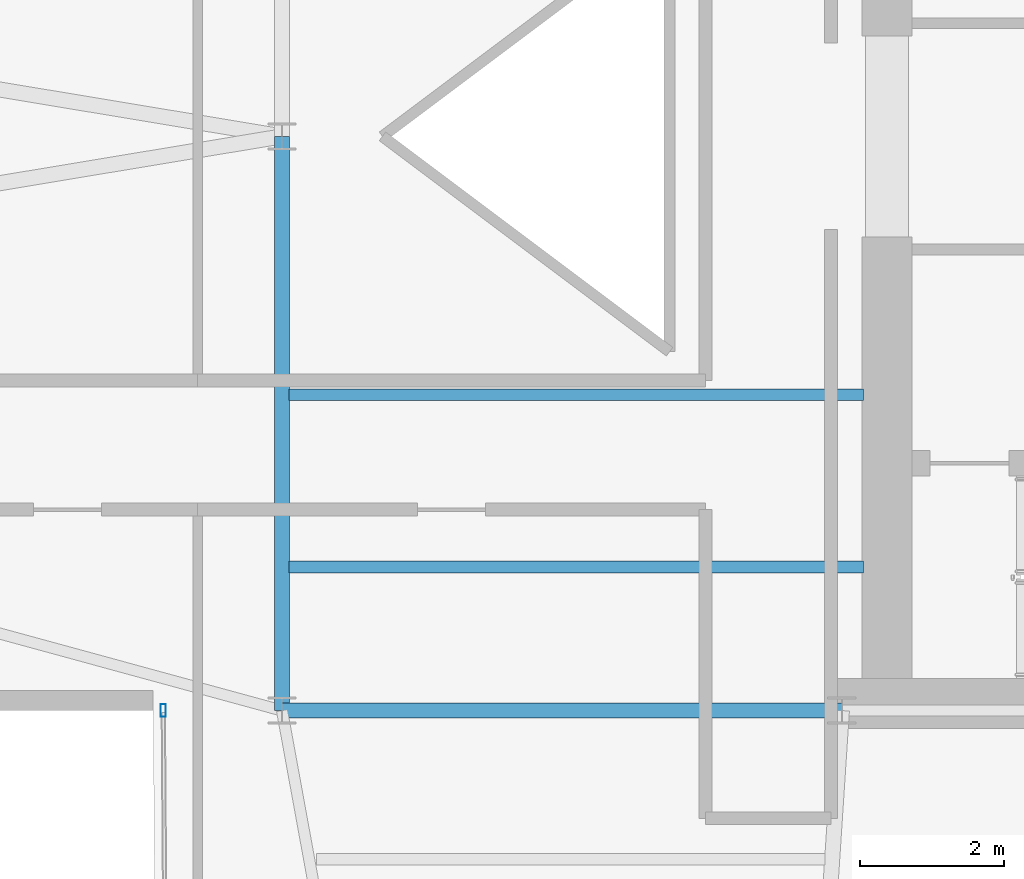
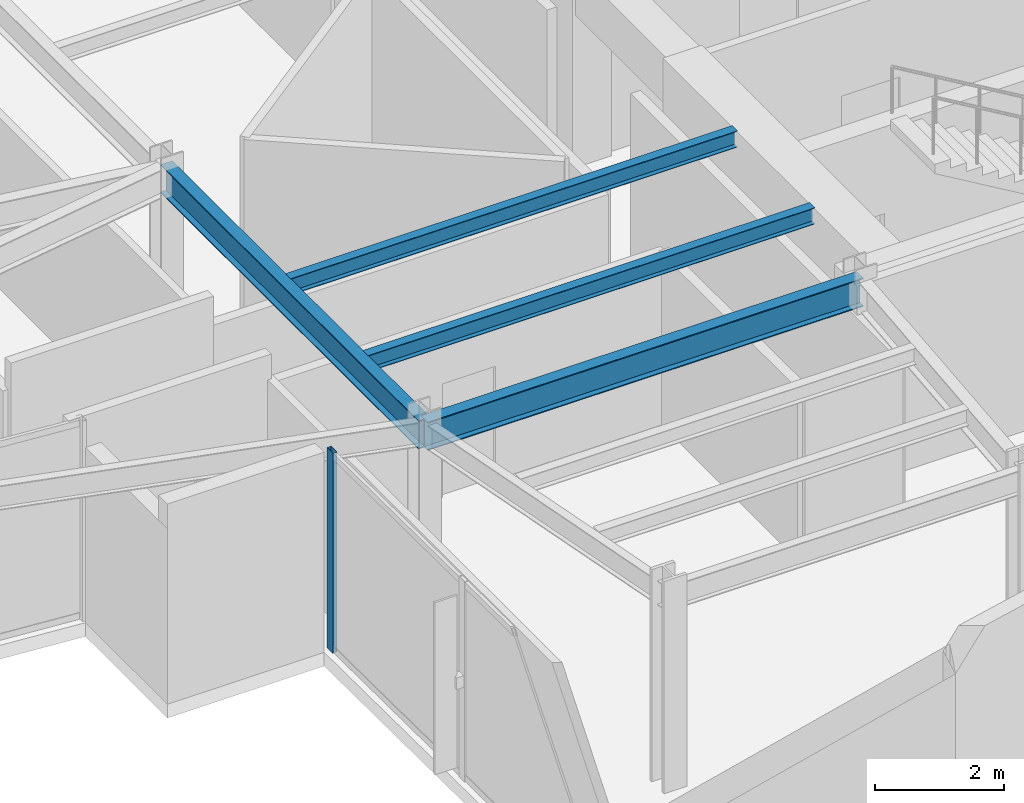
# One storey, part 8 of 23: 4 beams, 1 member, 1 element without a shape of its own.
"""IFC4 building model written with IfcOpenShell, lengths in metres."""

from ifc_helpers import new_model, si_unit, direction, frame, origin, origin_2d, place, context, subcontext, project, spatial, hollow_rectangle, i_section, extrude, material, layer, layer_set, material_profile, profile_set, type_object, element, aggregate, save


model = new_model("IFC4")

# Units and contexts
model_context = context("Model", 3, precision=1e-05, world=origin(), true_north=direction((0.0, 1.0)))
body_context = subcontext(model_context, "Body", "Model", "MODEL_VIEW")
ifc_project = project(units=[si_unit("LENGTHUNIT", "METRE"), si_unit("AREAUNIT", "SQUARE_METRE"), si_unit("VOLUMEUNIT", "CUBIC_METRE"), si_unit("PLANEANGLEUNIT", "RADIAN"), si_unit("MASSUNIT", "GRAM", prefix="KILO")], contexts=[model_context])

# Site, building, storey
site_placement = place(None, origin())
site = spatial("IfcSite", under=ifc_project, at=site_placement, CompositionType="ELEMENT")
building_placement = place(site_placement, origin())
building = spatial("IfcBuilding", under=site, at=building_placement, Name="Veymaron Broadcast Tower", CompositionType="ELEMENT")
storey_placement = place(building_placement, frame((0.0, 0.0, 191.85009765625)))
storey = spatial("IfcBuildingStorey", under=building, at=storey_placement, Name="L44", CompositionType="ELEMENT", Elevation=191.85009765625)

# Beams
ifc_material_1 = material(Name="Structural steel ASTM A992 Gr 50", Category="steel")
ifc_material_profile_1 = material_profile(ifc_material_1, i_section(OverallWidth=0.2099609375, OverallDepth=0.537109375, WebThickness=0.010986328125, FlangeThickness=0.017333984375, at=origin_2d()), Name="W530X101")
ifc_profile_set_1 = profile_set([ifc_material_profile_1], Name="Structural steel ASTM A992 Gr 50")
beam_type_1 = type_object("IfcBeamType", Name="BM-FG3", PredefinedType="BEAM", material=ifc_profile_set_1)
beam_1_placement = place(storey_placement, frame((31.199951171875, 16.0, 3.521484375), z_axis=(0.0, 1.0, 0.0), x_axis=(-1.0, 0.0, 0.0)))
element("IfcBeam", 1, at=beam_1_placement, inside=storey, type_object=beam_type_1, Name="L44 primary structural floor girder", PredefinedType="BEAM", context=body_context, shape_type="SweptSolid", body=[
    extrude(i_section(OverallWidth=0.2099609375, OverallDepth=0.537109375, WebThickness=0.010986328125, FlangeThickness=0.017333984375, at=origin_2d()), origin(), (0.0, 0.0, 1.0), 8.0),
])
beam_2_placement = place(storey_placement, frame((31.199951171875, 16.0, 3.521484375), z_axis=(1.0, 0.0, 0.0), x_axis=(0.0, 1.0, 0.0)))
element("IfcBeam", 2, at=beam_2_placement, inside=storey, type_object=beam_type_1, Name="L44 primary structural floor girder", PredefinedType="BEAM", context=body_context, shape_type="SweptSolid", body=[
    extrude(i_section(OverallWidth=0.2099609375, OverallDepth=0.537109375, WebThickness=0.010986328125, FlangeThickness=0.017333984375, at=origin_2d()), origin(), (0.0, 0.0, 1.0), 7.800048828125),
])
ifc_material_profile_2 = material_profile(ifc_material_1, i_section(OverallWidth=0.1650390625, OverallDepth=0.31005859375, WebThickness=0.005859375, FlangeThickness=0.009765625, at=origin_2d()), Name="W310X39")
ifc_profile_set_2 = profile_set([ifc_material_profile_2], Name="Structural steel ASTM A992 Gr 50")
beam_type_2 = type_object("IfcBeamType", Name="BM-JS3", PredefinedType="JOIST", material=ifc_profile_set_2)
for number, where, z_axis, x_axis, name in (
    (3, (31.300048828125, 18.0, 3.635009765625), (1.0, 0.0, 0.0), (0.0, 1.0, 0.0), "L44 Hub secondary joist 1"),
    (4, (31.300048828125, 20.39990234375, 3.635009765625), (1.0, 0.0, 0.0), (0.0, 1.0, 0.0), "L44 Hub secondary joist 2"),
):
    element("IfcBeam", number, at=place(storey_placement, frame(where, z_axis=z_axis, x_axis=x_axis)), inside=storey, type_object=beam_type_2, Name=name, PredefinedType="JOIST", context=body_context, shape_type="SweptSolid", body=[
        extrude(i_section(OverallWidth=0.1650390625, OverallDepth=0.31005859375, WebThickness=0.005859375, FlangeThickness=0.009765625, at=origin_2d()), origin(), (0.0, 0.0, 1.0), 8.0),
    ])

# Curtain wall, member
ifc_material_2 = material(Name="Anodised aluminium AA 6063-T6 and laminated low-E dark glass", Category="aluminium")
ifc_layer = layer(ifc_material_2, 0.179931640625)
ifc_layer_set = layer_set([ifc_layer], Name="Anodised aluminium AA 6063-T6 and laminated low-E dark glass")
curtain_wall_type = type_object("IfcCurtainWallType", Name="CW-SYS-05", PredefinedType="NOTDEFINED", material=ifc_layer_set)
curtain_wall_placement = place(storey_placement, origin())
curtain_wall = element("IfcCurtainWall", 5, at=curtain_wall_placement, inside=storey, type_object=curtain_wall_type, Name="L44 dark-glass curtain wall CW-L44-E17-1", PredefinedType="NOTDEFINED")
ifc_material_3 = material(Name="Anodised aluminium AA 6063-T6", Category="aluminium")
ifc_material_profile_3 = material_profile(ifc_material_3, hollow_rectangle(XDim=0.074951171875, YDim=0.179931640625, WallThickness=0.0048828125, at=origin_2d()), Name="AL180X75X5")
ifc_profile_set_3 = profile_set([ifc_material_profile_3], Name="Anodised aluminium AA 6063-T6")
member_type = type_object("IfcMemberType", Name="CW-MUL-02", PredefinedType="MULLION", material=ifc_profile_set_3)
member_placement = place(storey_placement, frame((29.545654296875, 16.0009765625, 0.0), z_axis=(0.0, 0.0, 1.0), x_axis=(1.0, 0.0, 0.0)))
member = element("IfcMember", 6, at=member_placement, type_object=member_type, Name="CW-L44-E17-1 mullion 0", PredefinedType="MULLION", context=body_context, shape_type="SweptSolid", body=[
    extrude(hollow_rectangle(XDim=0.074951171875, YDim=0.179931640625, WallThickness=0.0048828125, at=origin_2d()), origin(), (0.0, 0.0, 1.0), 3.789794921875),
])
aggregate(curtain_wall, [member])

save(model, "model.ifc")
